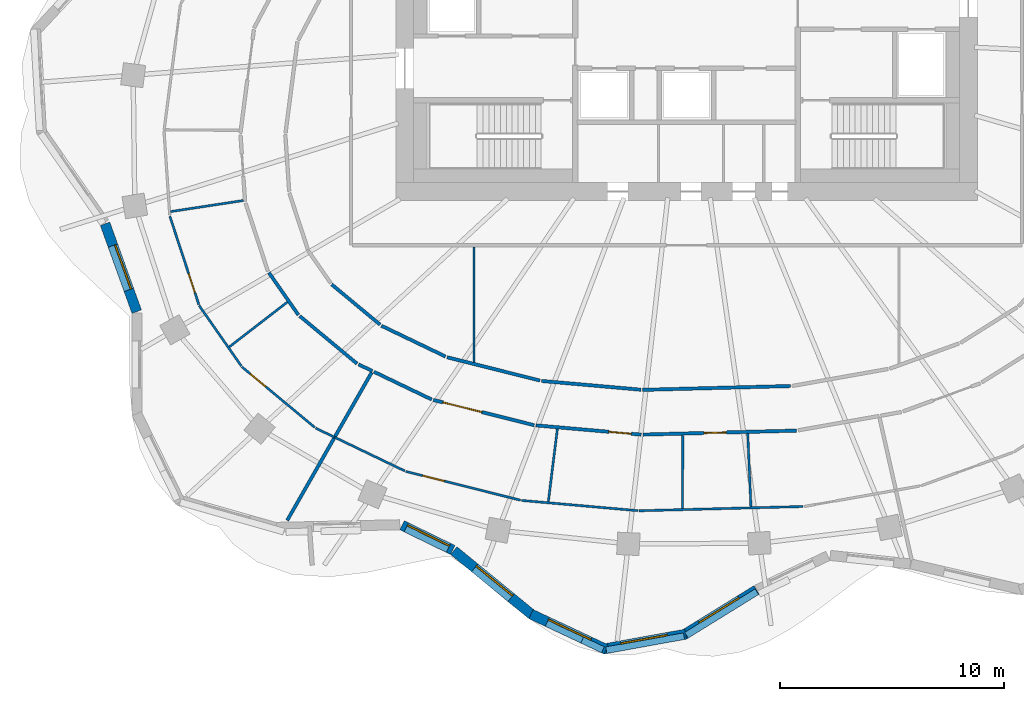
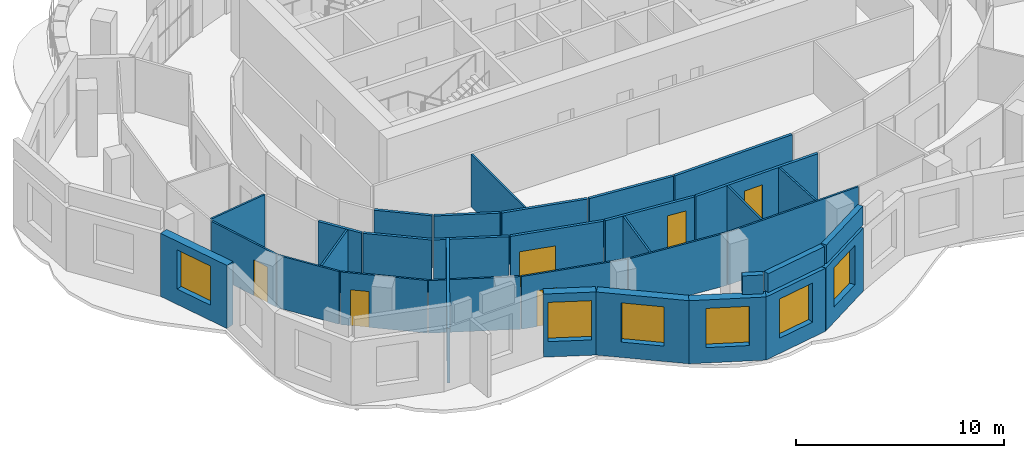
# One storey, part 5 of 13: 36 walls, 6 doors, 6 windows, 12 openings.
"""IFC4 building model written with IfcOpenShell, lengths in metres."""

from ifc_helpers import new_model, si_unit, direction, frame, frame_2d, origin, place, context, subcontext, project, spatial, rectangle, extrude, material, layer, layer_set, type_object, element, fill, save


model = new_model("IFC4")

# Units and contexts
model_context = context("Model", 3, precision=1e-05, world=origin(), true_north=direction((0.0, 1.0)))
body_context = subcontext(model_context, "Body", "Model", "MODEL_VIEW")
ifc_project = project(units=[si_unit("LENGTHUNIT", "METRE"), si_unit("AREAUNIT", "SQUARE_METRE"), si_unit("VOLUMEUNIT", "CUBIC_METRE"), si_unit("PLANEANGLEUNIT", "RADIAN"), si_unit("MASSUNIT", "GRAM", prefix="KILO")], contexts=[model_context])

# Site, building, storey
site_placement = place(None, origin())
site = spatial("IfcSite", under=ifc_project, at=site_placement, CompositionType="ELEMENT")
building_placement = place(site_placement, origin())
building = spatial("IfcBuilding", under=site, at=building_placement, Name="Rubra Terraces Tower", CompositionType="ELEMENT")
storey_placement = place(building_placement, frame((0.0, 0.0, 189.60009765625)))
storey = spatial("IfcBuildingStorey", under=building, at=storey_placement, Name="L46", CompositionType="ELEMENT", Elevation=189.60009765625)

# Wall, opening, window
ifc_material_1 = material(Name="Brick masonry red-brown", Category="masonry")
ifc_layer_1 = layer(ifc_material_1, 0.449951171875)
ifc_layer_set_1 = layer_set([ifc_layer_1], Name="Brick masonry red-brown")
wall_type_1 = type_object("IfcWallType", Name="Brick facade wall 450", PredefinedType="SOLIDWALL", material=ifc_layer_set_1)
wall_1_placement = place(storey_placement, frame((-25.99951171875, -4.047119140625, 0.0), z_axis=(0.0, 0.0, 1.0), x_axis=(0.338924456066, -0.940813591037, 0.0)))
wall_1 = element("IfcWall", 1, at=wall_1_placement, inside=storey, type_object=wall_type_1, Name="Facade wall L46 bay 22", PredefinedType="SOLIDWALL", context=body_context, shape_type="SweptSolid", body=[
    extrude(rectangle(XDim=4.175048828125, YDim=0.449951171875, at=frame_2d((2.08740234375, 0.0))), origin(), (0.0, 0.0, 1.0), 3.699951171875),
])
opening_1_placement = place(wall_1_placement, frame((1.03759765625, 0.0, 0.89990234375)))
opening_1 = element("IfcOpeningElement", 2, at=opening_1_placement, cuts=wall_1, Name="Opening W1B", PredefinedType="OPENING", context=body_context, shape_type="SweptSolid", body=[
    extrude(rectangle(XDim=2.10009765625, YDim=2.300048828125, at=frame_2d((1.050048828125, 1.14990234375))), frame((0.0, 0.23486328125, 0.0), z_axis=(0.0, -1.0, 0.0), x_axis=(1.0, 0.0, 0.0)), (0.0, 0.0, 1.0), 0.469970703125),
])
ifc_material_2 = material(Name="Clear glass in aluminium frame", Category="aluminium")
window_type = type_object("IfcWindowType", Name="Fixed deep-set window tall storey 2100 x 2300", PartitioningType="SINGLE_PANEL", PredefinedType="WINDOW", material=ifc_material_2)
window_1_placement = place(opening_1_placement, origin())
window_1 = element("IfcWindow", 3, at=window_1_placement, inside=storey, type_object=window_type, Name="Window L46 bay 22", OverallHeight=2.300048828125, OverallWidth=2.10009765625, PartitioningType="SINGLE_PANEL", PredefinedType="WINDOW", context=body_context, shape_type="SweptSolid", body=[
    extrude(rectangle(XDim=2.10009765625, YDim=2.300048828125, at=frame_2d((1.050048828125, 1.14990234375))), frame((0.0, 0.135009765625, 0.0), z_axis=(0.0, -1.0, 0.0), x_axis=(1.0, 0.0, 0.0)), (0.0, 0.0, 1.0), 0.06005859375),
])
fill(opening_1, window_1)

wall_2_placement = place(storey_placement, frame((-12.718994140625, -17.52587890625, 0.0), z_axis=(0.0, 0.0, 1.0), x_axis=(0.898643806462, -0.438679050226, 0.0)))
wall_2 = element("IfcWall", 4, at=wall_2_placement, inside=storey, type_object=wall_type_1, Name="Facade wall L46 bay 27", PredefinedType="SOLIDWALL", context=body_context, shape_type="SweptSolid", body=[
    extrude(rectangle(XDim=2.5234375, YDim=0.449951171875, at=frame_2d((1.26171875, 0.0))), origin(), (0.0, 0.0, 1.0), 3.699951171875),
])
opening_2_placement = place(wall_2_placement, frame((0.2119140625, 0.0, 0.89990234375)))
opening_2 = element("IfcOpeningElement", 5, at=opening_2_placement, cuts=wall_2, Name="Opening W1B", PredefinedType="OPENING", context=body_context, shape_type="SweptSolid", body=[
    extrude(rectangle(XDim=2.10009765625, YDim=2.300048828125, at=frame_2d((1.050048828125, 1.14990234375))), frame((0.0, 0.23486328125, 0.0), z_axis=(0.0, -1.0, 0.0), x_axis=(1.0, 0.0, 0.0)), (0.0, 0.0, 1.0), 0.469970703125),
])
window_2_placement = place(opening_2_placement, origin())
window_2 = element("IfcWindow", 6, at=window_2_placement, inside=storey, type_object=window_type, Name="Window L46 bay 27", OverallHeight=2.300048828125, OverallWidth=2.10009765625, PartitioningType="SINGLE_PANEL", PredefinedType="WINDOW", context=body_context, shape_type="SweptSolid", body=[
    extrude(rectangle(XDim=2.10009765625, YDim=2.300048828125, at=frame_2d((1.050048828125, 1.14990234375))), frame((0.0, 0.135009765625, 0.0), z_axis=(0.0, -1.0, 0.0), x_axis=(1.0, 0.0, 0.0)), (0.0, 0.0, 1.0), 0.06005859375),
])
fill(opening_2, window_2)

wall_3_placement = place(storey_placement, frame((-10.407470703125, -18.660888671875, 0.0), z_axis=(0.0, 0.0, 1.0), x_axis=(0.773702458947, -0.633549133864, 0.0)))
wall_3 = element("IfcWall", 7, at=wall_3_placement, inside=storey, type_object=wall_type_1, Name="Facade wall L46 bay 28", PredefinedType="SOLIDWALL", context=body_context, shape_type="SweptSolid", body=[
    extrude(rectangle(XDim=4.525634765625, YDim=0.449951171875, at=frame_2d((2.2626953125, 0.0))), origin(), (0.0, 0.0, 1.0), 3.699951171875),
])
opening_3_placement = place(wall_3_placement, frame((1.212890625, 0.0, 0.89990234375)))
opening_3 = element("IfcOpeningElement", 8, at=opening_3_placement, cuts=wall_3, Name="Opening W1B", PredefinedType="OPENING", context=body_context, shape_type="SweptSolid", body=[
    extrude(rectangle(XDim=2.10009765625, YDim=2.300048828125, at=frame_2d((1.050048828125, 1.14990234375))), frame((0.0, 0.23486328125, 0.0), z_axis=(0.0, -1.0, 0.0), x_axis=(1.0, 0.0, 0.0)), (0.0, 0.0, 1.0), 0.469970703125),
])
window_3_placement = place(opening_3_placement, origin())
window_3 = element("IfcWindow", 9, at=window_3_placement, inside=storey, type_object=window_type, Name="Window L46 bay 28", OverallHeight=2.300048828125, OverallWidth=2.10009765625, PartitioningType="SINGLE_PANEL", PredefinedType="WINDOW", context=body_context, shape_type="SweptSolid", body=[
    extrude(rectangle(XDim=2.10009765625, YDim=2.300048828125, at=frame_2d((1.050048828125, 1.14990234375))), frame((0.0, 0.135009765625, 0.0), z_axis=(0.0, -1.0, 0.0), x_axis=(1.0, 0.0, 0.0)), (0.0, 0.0, 1.0), 0.06005859375),
])
fill(opening_3, window_3)

wall_4_placement = place(storey_placement, frame((-6.952880859375, -21.49853515625, 0.0), z_axis=(0.0, 0.0, 1.0), x_axis=(0.905034581957, -0.425337989676, 0.0)))
wall_4 = element("IfcWall", 10, at=wall_4_placement, inside=storey, type_object=wall_type_1, Name="Facade wall L46 bay 29", PredefinedType="SOLIDWALL", context=body_context, shape_type="SweptSolid", body=[
    extrude(rectangle(XDim=3.71435546875, YDim=0.449951171875, at=frame_2d((1.857177734375, 0.0))), origin(), (0.0, 0.0, 1.0), 3.699951171875),
])
opening_4_placement = place(wall_4_placement, frame((0.80712890625, 0.0, 0.89990234375)))
opening_4 = element("IfcOpeningElement", 11, at=opening_4_placement, cuts=wall_4, Name="Opening W1B", PredefinedType="OPENING", context=body_context, shape_type="SweptSolid", body=[
    extrude(rectangle(XDim=2.10009765625, YDim=2.300048828125, at=frame_2d((1.050048828125, 1.14990234375))), frame((0.0, 0.23486328125, 0.0), z_axis=(0.0, -1.0, 0.0), x_axis=(1.0, 0.0, 0.0)), (0.0, 0.0, 1.0), 0.469970703125),
])
window_4_placement = place(opening_4_placement, origin())
window_4 = element("IfcWindow", 12, at=window_4_placement, inside=storey, type_object=window_type, Name="Window L46 bay 29", OverallHeight=2.300048828125, OverallWidth=2.10009765625, PartitioningType="SINGLE_PANEL", PredefinedType="WINDOW", context=body_context, shape_type="SweptSolid", body=[
    extrude(rectangle(XDim=2.10009765625, YDim=2.300048828125, at=frame_2d((1.050048828125, 1.14990234375))), frame((0.0, 0.135009765625, 0.0), z_axis=(0.0, -1.0, 0.0), x_axis=(1.0, 0.0, 0.0)), (0.0, 0.0, 1.0), 0.06005859375),
])
fill(opening_4, window_4)

wall_5_placement = place(storey_placement, frame((-3.726806640625, -23.060546875, 0.0), z_axis=(0.0, 0.0, 1.0), x_axis=(0.984119180424, 0.177508982087, 0.0)))
wall_5 = element("IfcWall", 13, at=wall_5_placement, inside=storey, type_object=wall_type_1, Name="Facade wall L46 bay 30", PredefinedType="SOLIDWALL", context=body_context, shape_type="SweptSolid", body=[
    extrude(rectangle(XDim=3.74658203125, YDim=0.449951171875, at=frame_2d((1.873291015625, 0.0))), origin(), (0.0, 0.0, 1.0), 3.699951171875),
])
opening_5_placement = place(wall_5_placement, frame((0.8232421875, 0.0, 0.89990234375)))
opening_5 = element("IfcOpeningElement", 14, at=opening_5_placement, cuts=wall_5, Name="Opening W1B", PredefinedType="OPENING", context=body_context, shape_type="SweptSolid", body=[
    extrude(rectangle(XDim=2.10009765625, YDim=2.300048828125, at=frame_2d((1.050048828125, 1.14990234375))), frame((0.0, 0.23486328125, 0.0), z_axis=(0.0, -1.0, 0.0), x_axis=(1.0, 0.0, 0.0)), (0.0, 0.0, 1.0), 0.469970703125),
])
window_5_placement = place(opening_5_placement, origin())
window_5 = element("IfcWindow", 15, at=window_5_placement, inside=storey, type_object=window_type, Name="Window L46 bay 30", OverallHeight=2.300048828125, OverallWidth=2.10009765625, PartitioningType="SINGLE_PANEL", PredefinedType="WINDOW", context=body_context, shape_type="SweptSolid", body=[
    extrude(rectangle(XDim=2.10009765625, YDim=2.300048828125, at=frame_2d((1.050048828125, 1.14990234375))), frame((0.0, 0.135009765625, 0.0), z_axis=(0.0, -1.0, 0.0), x_axis=(1.0, 0.0, 0.0)), (0.0, 0.0, 1.0), 0.06005859375),
])
fill(opening_5, window_5)

wall_6_placement = place(storey_placement, frame((-0.114990234375, -22.423583984375, 0.0), z_axis=(0.0, 0.0, 1.0), x_axis=(0.8506970368, 0.525656305564, 0.0)))
wall_6 = element("IfcWall", 16, at=wall_6_placement, inside=storey, type_object=wall_type_1, Name="Facade wall L46 bay 31", PredefinedType="SOLIDWALL", context=body_context, shape_type="SweptSolid", body=[
    extrude(rectangle(XDim=3.81640625, YDim=0.449951171875, at=frame_2d((1.908203125, 0.0))), origin(), (0.0, 0.0, 1.0), 3.699951171875),
])
opening_6_placement = place(wall_6_placement, frame((0.858154296875, 0.0, 0.89990234375)))
opening_6 = element("IfcOpeningElement", 17, at=opening_6_placement, cuts=wall_6, Name="Opening W1B", PredefinedType="OPENING", context=body_context, shape_type="SweptSolid", body=[
    extrude(rectangle(XDim=2.10009765625, YDim=2.300048828125, at=frame_2d((1.050048828125, 1.14990234375))), frame((0.0, 0.23486328125, 0.0), z_axis=(0.0, -1.0, 0.0), x_axis=(1.0, 0.0, 0.0)), (0.0, 0.0, 1.0), 0.469970703125),
])
window_6_placement = place(opening_6_placement, origin())
window_6 = element("IfcWindow", 18, at=window_6_placement, inside=storey, type_object=window_type, Name="Window L46 bay 31", OverallHeight=2.300048828125, OverallWidth=2.10009765625, PartitioningType="SINGLE_PANEL", PredefinedType="WINDOW", context=body_context, shape_type="SweptSolid", body=[
    extrude(rectangle(XDim=2.10009765625, YDim=2.300048828125, at=frame_2d((1.050048828125, 1.14990234375))), frame((0.0, 0.135009765625, 0.0), z_axis=(0.0, -1.0, 0.0), x_axis=(1.0, 0.0, 0.0)), (0.0, 0.0, 1.0), 0.06005859375),
])
fill(opening_6, window_6)

# Walls
ifc_layer_2 = layer(ifc_material_1, 0.300048828125)
ifc_layer_set_2 = layer_set([ifc_layer_2], Name="Brick masonry red-brown")
wall_type_2 = type_object("IfcWallType", Name="Brick parapet 300", PredefinedType="PARAPET", material=ifc_layer_set_2)
wall_7_placement = place(storey_placement, frame((-4.66650390625, -22.656005859375, 3.89990234375), z_axis=(0.0, 0.0, 1.0), x_axis=(0.905050240273, -0.425304670304, 0.0)))
element("IfcWall", 19, at=wall_7_placement, inside=storey, type_object=wall_type_2, Name="Parapet L46 bay 29", PredefinedType="PARAPET", context=body_context, shape_type="SweptSolid", body=[
    extrude(rectangle(XDim=1.02685546875, YDim=0.300048828125, at=frame_2d((0.513427734375, 0.0))), origin(), (0.0, 0.0, 1.0), 1.10009765625),
])
wall_8_placement = place(storey_placement, frame((-3.58984375, -23.112060546875, 3.89990234375), z_axis=(0.0, 0.0, 1.0), x_axis=(0.984124248147, 0.177480884064, 0.0)))
element("IfcWall", 20, at=wall_8_placement, inside=storey, type_object=wall_type_2, Name="Parapet L46 bay 30", PredefinedType="PARAPET", context=body_context, shape_type="SweptSolid", body=[
    extrude(rectangle(XDim=3.533935546875, YDim=0.300048828125, at=frame_2d((1.76708984375, 0.0))), origin(), (0.0, 0.0, 1.0), 1.10009765625),
])
wall_9_placement = place(storey_placement, frame((-0.0048828125, -22.443603515625, 3.89990234375), z_axis=(0.0, 0.0, 1.0), x_axis=(0.850710394144, 0.525634688063, 0.0)))
element("IfcWall", 21, at=wall_9_placement, inside=storey, type_object=wall_type_2, Name="Parapet L46 bay 31", PredefinedType="PARAPET", context=body_context, shape_type="SweptSolid", body=[
    extrude(rectangle(XDim=3.701904296875, YDim=0.300048828125, at=frame_2d((1.85107421875, 0.0))), origin(), (0.0, 0.0, 1.0), 1.10009765625),
])
ifc_material_3 = material(Name="Plasterboard on steel stud, mineral wool infill", Category="steel")
ifc_layer_3 = layer(ifc_material_3, 0.14990234375)
ifc_layer_set_3 = layer_set([ifc_layer_3], Name="Plasterboard on steel stud, mineral wool infill")
wall_type_3 = type_object("IfcWallType", Name="CORRIDOR PARTITION 150", PredefinedType="PARTITIONING", material=ifc_layer_set_3)
wall_10_placement = place(storey_placement, frame((-18.673828125, -6.231689453125, 0.0), z_axis=(0.0, 0.0, 1.0), x_axis=(0.572118665737, -0.820170855563, 0.0)))
element("IfcWall", 22, at=wall_10_placement, inside=storey, type_object=wall_type_3, Name="PARTITION", PredefinedType="PARTITIONING", context=body_context, shape_type="SweptSolid", body=[
    extrude(rectangle(XDim=2.30615234375, YDim=0.14990234375, at=frame_2d((1.153076171875, 0.0))), origin(), (0.0, 0.0, 1.0), 3.083984375),
])
wall_11_placement = place(storey_placement, frame((-17.296875, -8.1708984375, 0.0), z_axis=(0.0, 0.0, 1.0), x_axis=(0.769228575061, -0.638973707839, 0.0)))
element("IfcWall", 23, at=wall_11_placement, inside=storey, type_object=wall_type_3, Name="PARTITION", PredefinedType="PARTITIONING", context=body_context, shape_type="SweptSolid", body=[
    extrude(rectangle(XDim=3.33447265625, YDim=0.14990234375, at=frame_2d((1.667236328125, 0.0))), origin(), (0.0, 0.0, 1.0), 3.083984375),
])
wall_12_placement = place(storey_placement, frame((-14.664306640625, -10.333984375, 0.0), z_axis=(0.0, 0.0, 1.0), x_axis=(0.901550749347, -0.432673371439, 0.0)))
element("IfcWall", 24, at=wall_12_placement, inside=storey, type_object=wall_type_3, Name="PARTITION", PredefinedType="PARTITIONING", context=body_context, shape_type="SweptSolid", body=[
    extrude(rectangle(XDim=0.687744140625, YDim=0.14990234375, at=frame_2d((0.34375, 0.0))), origin(), (0.0, 0.0, 1.0), 3.083984375),
])
wall_13_placement = place(storey_placement, frame((-13.9765625, -10.6640625, 0.0), z_axis=(0.0, 0.0, 1.0), x_axis=(0.901497811871, -0.432783658646, 0.0)))
element("IfcWall", 25, at=wall_13_placement, inside=storey, type_object=wall_type_3, Name="PARTITION", PredefinedType="PARTITIONING", context=body_context, shape_type="SweptSolid", body=[
    extrude(rectangle(XDim=2.867431640625, YDim=0.14990234375, at=frame_2d((1.43359375, 0.0))), origin(), (0.0, 0.0, 1.0), 3.083984375),
])

# Wall, opening, door
wall_14_placement = place(storey_placement, frame((-11.318603515625, -11.923095703125, 0.0), z_axis=(0.0, 0.0, 1.0), x_axis=(0.969990815038, -0.243141561114, 0.0)))
wall_14 = element("IfcWall", 26, at=wall_14_placement, inside=storey, type_object=wall_type_3, Name="PARTITION", PredefinedType="PARTITIONING", context=body_context, shape_type="SweptSolid", body=[
    extrude(rectangle(XDim=4.64501953125, YDim=0.14990234375, at=frame_2d((2.322509765625, 0.0))), origin(), (0.0, 0.0, 1.0), 3.083984375),
])
opening_7_placement = place(wall_14_placement, frame((0.43896484375, 0.0, 0.0)))
opening_7 = element("IfcOpeningElement", 27, at=opening_7_placement, cuts=wall_14, Name="Opening 46-107", PredefinedType="OPENING", context=body_context, shape_type="SweptSolid", body=[
    extrude(rectangle(XDim=1.800048828125, YDim=2.10009765625, at=frame_2d((0.89990234375, 1.050048828125))), frame((0.0, 0.0849609375, 0.0), z_axis=(0.0, -1.0, 0.0), x_axis=(1.0, 0.0, 0.0)), (0.0, 0.0, 1.0), 0.169921875),
])
ifc_material_4 = material(Name="Painted timber door leaf, double", Category="wood")
door_type_1 = type_object("IfcDoorType", Name="ROOM DOUBLE DOOR 1800 X 2100", OperationType="DOUBLE_DOOR_SINGLE_SWING", PredefinedType="DOOR", material=ifc_material_4)
door_1_placement = place(opening_7_placement, origin())
door_1 = element("IfcDoor", 28, at=door_1_placement, inside=storey, type_object=door_type_1, Name="DOOR 46-107", OperationType="DOUBLE_DOOR_SINGLE_SWING", OverallHeight=2.10009765625, OverallWidth=1.800048828125, PredefinedType="DOOR", context=body_context, shape_type="SweptSolid", body=[
    extrude(rectangle(XDim=1.800048828125, YDim=2.10009765625, at=frame_2d((0.89990234375, 1.050048828125))), frame((0.0, 0.02490234375, 0.0), z_axis=(0.0, -1.0, 0.0), x_axis=(1.0, 0.0, 0.0)), (0.0, 0.0, 1.0), 0.050048828125),
])
fill(opening_7, door_1)

wall_15_placement = place(storey_placement, frame((-6.73828125, -13.05908203125, 0.0), z_axis=(0.0, 0.0, 1.0), x_axis=(0.996143527037, -0.087738666181, 0.0)))
wall_15 = element("IfcWall", 29, at=wall_15_placement, inside=storey, type_object=wall_type_3, Name="PARTITION", PredefinedType="PARTITIONING", context=body_context, shape_type="SweptSolid", body=[
    extrude(rectangle(XDim=4.73046875, YDim=0.14990234375, at=frame_2d((2.365234375, 0.0))), origin(), (0.0, 0.0, 1.0), 3.083984375),
])
opening_8_placement = place(wall_15_placement, frame((3.281005859375, 0.0, 0.0)))
opening_8 = element("IfcOpeningElement", 30, at=opening_8_placement, cuts=wall_15, Name="Opening 46-109", PredefinedType="OPENING", context=body_context, shape_type="SweptSolid", body=[
    extrude(rectangle(XDim=1.0, YDim=2.39990234375, at=frame_2d((0.5, 1.199951171875))), frame((0.0, 0.0849609375, 0.0), z_axis=(0.0, -1.0, 0.0), x_axis=(1.0, 0.0, 0.0)), (0.0, 0.0, 1.0), 0.169921875),
])
ifc_material_5 = material(Name="Glazed aluminium meeting door leaf", Category="aluminium")
door_type_2 = type_object("IfcDoorType", Name="MEETING ROOM GLAZED DOOR 1000 X 2400", OperationType="SINGLE_SWING_LEFT", PredefinedType="DOOR", material=ifc_material_5)
door_2_placement = place(opening_8_placement, origin())
door_2 = element("IfcDoor", 31, at=door_2_placement, inside=storey, type_object=door_type_2, Name="DOOR 46-109", OperationType="SINGLE_SWING_RIGHT", OverallHeight=2.39990234375, OverallWidth=1.0, PredefinedType="DOOR", context=body_context, shape_type="SweptSolid", body=[
    extrude(rectangle(XDim=1.0, YDim=2.39990234375, at=frame_2d((0.5, 1.199951171875))), frame((0.0, 0.02490234375, 0.0), z_axis=(0.0, -1.0, 0.0), x_axis=(1.0, 0.0, 0.0)), (0.0, 0.0, 1.0), 0.050048828125),
])
fill(opening_8, door_2)

wall_16_placement = place(storey_placement, frame((-1.951171875, -13.472412109375, 0.0), z_axis=(0.0, 0.0, 1.0), x_axis=(0.999663898238, 0.025924709429, 0.0)))
wall_16 = element("IfcWall", 32, at=wall_16_placement, inside=storey, type_object=wall_type_3, Name="PARTITION", PredefinedType="PARTITIONING", context=body_context, shape_type="SweptSolid", body=[
    extrude(rectangle(XDim=6.87451171875, YDim=0.14990234375, at=frame_2d((3.437255859375, 0.0))), origin(), (0.0, 0.0, 1.0), 3.083984375),
])
opening_9_placement = place(wall_16_placement, frame((2.73291015625, 0.0, 0.0)))
opening_9 = element("IfcOpeningElement", 33, at=opening_9_placement, cuts=wall_16, Name="Opening 46-110", PredefinedType="OPENING", context=body_context, shape_type="SweptSolid", body=[
    extrude(rectangle(XDim=1.0, YDim=2.39990234375, at=frame_2d((0.5, 1.199951171875))), frame((0.0, 0.0849609375, 0.0), z_axis=(0.0, -1.0, 0.0), x_axis=(1.0, 0.0, 0.0)), (0.0, 0.0, 1.0), 0.169921875),
])
door_3_placement = place(opening_9_placement, origin())
door_3 = element("IfcDoor", 34, at=door_3_placement, inside=storey, type_object=door_type_2, Name="DOOR 46-110", OperationType="SINGLE_SWING_RIGHT", OverallHeight=2.39990234375, OverallWidth=1.0, PredefinedType="DOOR", context=body_context, shape_type="SweptSolid", body=[
    extrude(rectangle(XDim=1.0, YDim=2.39990234375, at=frame_2d((0.5, 1.199951171875))), frame((0.0, 0.02490234375, 0.0), z_axis=(0.0, -1.0, 0.0), x_axis=(1.0, 0.0, 0.0)), (0.0, 0.0, 1.0), 0.050048828125),
])
fill(opening_9, door_3)

# Walls
wall_17_placement = place(storey_placement, frame((4.64453125, -11.30078125, 0.0), z_axis=(0.0, 0.0, 1.0), x_axis=(-0.9996648469, -0.02588810291, 0.0)))
element("IfcWall", 35, at=wall_17_placement, inside=storey, type_object=wall_type_3, Name="PARTITION", PredefinedType="PARTITIONING", context=body_context, shape_type="SweptSolid", body=[
    extrude(rectangle(XDim=6.61083984375, YDim=0.14990234375, at=frame_2d((3.305419921875, 0.0))), origin(), (0.0, 0.0, 1.0), 3.083984375),
])
wall_18_placement = place(storey_placement, frame((-2.038818359375, -11.46533203125, 0.0), z_axis=(0.0, 0.0, 1.0), x_axis=(-0.996139855484, 0.087780341286, 0.0)))
element("IfcWall", 36, at=wall_18_placement, inside=storey, type_object=wall_type_3, Name="PARTITION", PredefinedType="PARTITIONING", context=body_context, shape_type="SweptSolid", body=[
    extrude(rectangle(XDim=4.458251953125, YDim=0.14990234375, at=frame_2d((2.22900390625, 0.0))), origin(), (0.0, 0.0, 1.0), 3.083984375),
])
wall_19_placement = place(storey_placement, frame((-6.552734375, -11.055908203125, 0.0), z_axis=(0.0, 0.0, 1.0), x_axis=(-0.970004917182, 0.243085294995, 0.0)))
element("IfcWall", 37, at=wall_19_placement, inside=storey, type_object=wall_type_3, Name="PARTITION", PredefinedType="PARTITIONING", context=body_context, shape_type="SweptSolid", body=[
    extrude(rectangle(XDim=4.284423828125, YDim=0.14990234375, at=frame_2d((2.14208984375, 0.0))), origin(), (0.0, 0.0, 1.0), 3.083984375),
])
wall_20_placement = place(storey_placement, frame((-10.7763671875, -9.981689453125, 0.0), z_axis=(0.0, 0.0, 1.0), x_axis=(-0.901511079436, 0.432756020933, 0.0)))
element("IfcWall", 38, at=wall_20_placement, inside=storey, type_object=wall_type_3, Name="PARTITION", PredefinedType="PARTITIONING", context=body_context, shape_type="SweptSolid", body=[
    extrude(rectangle(XDim=3.1806640625, YDim=0.14990234375, at=frame_2d((1.59033203125, 0.0))), origin(), (0.0, 0.0, 1.0), 3.083984375),
])
wall_21_placement = place(storey_placement, frame((-13.70166015625, -8.557373046875, 0.0), z_axis=(0.0, 0.0, 1.0), x_axis=(-0.769221825067, 0.638981833733, 0.0)))
element("IfcWall", 39, at=wall_21_placement, inside=storey, type_object=wall_type_3, Name="PARTITION", PredefinedType="PARTITIONING", context=body_context, shape_type="SweptSolid", body=[
    extrude(rectangle(XDim=2.8173828125, YDim=0.14990234375, at=frame_2d((1.40869140625, 0.0))), origin(), (0.0, 0.0, 1.0), 3.083984375),
])
ifc_material_6 = material(Name="Plasterboard on steel stud", Category="steel")
ifc_layer_4 = layer(ifc_material_6, 0.10009765625)
ifc_layer_set_4 = layer_set([ifc_layer_4], Name="Plasterboard on steel stud")
wall_type_4 = type_object("IfcWallType", Name="ROOM PARTITION 100", PredefinedType="PARTITIONING", material=ifc_layer_set_4)
wall_22_placement = place(storey_placement, frame((-15.752197265625, -13.583251953125, 0.0), z_axis=(0.0, 0.0, 1.0), x_axis=(-0.901527197523, 0.432722442366, 0.0)))
element("IfcWall", 40, at=wall_22_placement, inside=storey, type_object=wall_type_4, Name="PARTITION", PredefinedType="PARTITIONING", context=body_context, shape_type="SweptSolid", body=[
    extrude(rectangle(XDim=0.920166015625, YDim=0.10009765625, at=frame_2d((0.4599609375, 0.0))), origin(), (0.0, 0.0, 1.0), 3.083984375),
])

# Wall, opening, door
wall_23_placement = place(storey_placement, frame((-16.6201171875, -13.153076171875, 0.0), z_axis=(0.0, 0.0, 1.0), x_axis=(-0.76922129881, 0.638982467253, 0.0)))
wall_23 = element("IfcWall", 41, at=wall_23_placement, inside=storey, type_object=wall_type_4, Name="PARTITION", PredefinedType="PARTITIONING", context=body_context, shape_type="SweptSolid", body=[
    extrude(rectangle(XDim=4.23828125, YDim=0.10009765625, at=frame_2d((2.119140625, 0.0))), origin(), (0.0, 0.0, 1.0), 3.083984375),
])
opening_10_placement = place(wall_23_placement, frame((2.85009765625, 0.0, 0.0)))
opening_10 = element("IfcOpeningElement", 42, at=opening_10_placement, cuts=wall_23, Name="Opening 46-106", PredefinedType="OPENING", context=body_context, shape_type="SweptSolid", body=[
    extrude(rectangle(XDim=0.89990234375, YDim=2.10009765625, at=frame_2d((0.449951171875, 1.050048828125))), frame((0.0, 0.06005859375, 0.0), z_axis=(0.0, -1.0, 0.0), x_axis=(1.0, 0.0, 0.0)), (0.0, 0.0, 1.0), 0.1201171875),
])
ifc_material_7 = material(Name="Painted timber door leaf", Category="wood")
door_type_3 = type_object("IfcDoorType", Name="ROOM DOOR 900 X 2100", OperationType="SINGLE_SWING_LEFT", PredefinedType="DOOR", material=ifc_material_7)
door_4_placement = place(opening_10_placement, origin())
door_4 = element("IfcDoor", 43, at=door_4_placement, inside=storey, type_object=door_type_3, Name="DOOR 46-106", OperationType="SINGLE_SWING_RIGHT", OverallHeight=2.10009765625, OverallWidth=0.89990234375, PredefinedType="DOOR", context=body_context, shape_type="SweptSolid", body=[
    extrude(rectangle(XDim=0.89990234375, YDim=2.10009765625, at=frame_2d((0.449951171875, 1.050048828125))), frame((0.0, 0.02490234375, 0.0), z_axis=(0.0, -1.0, 0.0), x_axis=(1.0, 0.0, 0.0)), (0.0, 0.0, 1.0), 0.050048828125),
])
fill(opening_10, door_4)

# Wall
wall_24_placement = place(storey_placement, frame((-19.908935546875, -10.40380859375, 0.0), z_axis=(0.0, 0.0, 1.0), x_axis=(-0.572111951901, 0.820175538828, 0.0)))
element("IfcWall", 44, at=wall_24_placement, inside=storey, type_object=wall_type_4, Name="PARTITION", PredefinedType="PARTITIONING", context=body_context, shape_type="SweptSolid", body=[
    extrude(rectangle(XDim=3.2900390625, YDim=0.10009765625, at=frame_2d((1.64501953125, 0.0))), origin(), (0.0, 0.0, 1.0), 3.083984375),
])

# Wall, opening, door
wall_25_placement = place(storey_placement, frame((-21.806884765625, -7.657958984375, 0.0), z_axis=(0.0, 0.0, 1.0), x_axis=(-0.31192534077, 0.95010661601, 0.0)))
wall_25 = element("IfcWall", 45, at=wall_25_placement, inside=storey, type_object=wall_type_4, Name="PARTITION", PredefinedType="PARTITIONING", context=body_context, shape_type="SweptSolid", body=[
    extrude(rectangle(XDim=4.156982421875, YDim=0.10009765625, at=frame_2d((2.07861328125, 0.0))), origin(), (0.0, 0.0, 1.0), 3.083984375),
])
opening_11_placement = place(wall_25_placement, frame((0.56103515625, 0.0, 0.0)))
opening_11 = element("IfcOpeningElement", 46, at=opening_11_placement, cuts=wall_25, Name="Opening 46-105", PredefinedType="OPENING", context=body_context, shape_type="SweptSolid", body=[
    extrude(rectangle(XDim=0.89990234375, YDim=2.10009765625, at=frame_2d((0.449951171875, 1.050048828125))), frame((0.0, 0.06005859375, 0.0), z_axis=(0.0, -1.0, 0.0), x_axis=(1.0, 0.0, 0.0)), (0.0, 0.0, 1.0), 0.1201171875),
])
door_5_placement = place(opening_11_placement, origin())
door_5 = element("IfcDoor", 47, at=door_5_placement, inside=storey, type_object=door_type_3, Name="DOOR 46-105", OperationType="SINGLE_SWING_LEFT", OverallHeight=2.10009765625, OverallWidth=0.89990234375, PredefinedType="DOOR", context=body_context, shape_type="SweptSolid", body=[
    extrude(rectangle(XDim=0.89990234375, YDim=2.10009765625, at=frame_2d((0.449951171875, 1.050048828125))), frame((0.0, 0.02490234375, 0.0), z_axis=(0.0, -1.0, 0.0), x_axis=(1.0, 0.0, 0.0)), (0.0, 0.0, 1.0), 0.050048828125),
])
fill(opening_11, door_5)

# Walls
wall_26_placement = place(storey_placement, frame((-19.818359375, -3.006103515625, 0.0), z_axis=(0.0, 0.0, 1.0), x_axis=(-0.988610910333, -0.15049407952, 0.0)))
element("IfcWall", 48, at=wall_26_placement, inside=storey, type_object=wall_type_4, Name="PARTITION", PredefinedType="PARTITIONING", context=body_context, shape_type="SweptSolid", body=[
    extrude(rectangle(XDim=3.28662109375, YDim=0.10009765625, at=frame_2d((1.643310546875, 0.0))), origin(), (0.0, 0.0, 1.0), 3.083984375),
])
wall_27_placement = place(storey_placement, frame((-17.848388671875, -7.5458984375, 0.0), z_axis=(0.0, 0.0, 1.0), x_axis=(-0.791468360906, -0.611210138728, 0.0)))
element("IfcWall", 49, at=wall_27_placement, inside=storey, type_object=wall_type_4, Name="PARTITION", PredefinedType="PARTITIONING", context=body_context, shape_type="SweptSolid", body=[
    extrude(rectangle(XDim=3.279052734375, YDim=0.10009765625, at=frame_2d((1.6396484375, 0.0))), origin(), (0.0, 0.0, 1.0), 3.083984375),
])
wall_28_placement = place(storey_placement, frame((5.2138671875, -16.687744140625, 0.0), z_axis=(0.0, 0.0, 1.0), x_axis=(-0.999664981446, -0.025882906921, 0.0)))
element("IfcWall", 50, at=wall_28_placement, inside=storey, type_object=wall_type_4, Name="PARTITION", PredefinedType="PARTITIONING", context=body_context, shape_type="SweptSolid", body=[
    extrude(rectangle(XDim=7.347900390625, YDim=0.10009765625, at=frame_2d((3.673828125, 0.0))), origin(), (0.0, 0.0, 1.0), 3.083984375),
])
wall_29_placement = place(storey_placement, frame((-2.181396484375, -16.87353515625, 0.0), z_axis=(0.0, 0.0, 1.0), x_axis=(-0.996143934904, 0.087734035321, 0.0)))
element("IfcWall", 51, at=wall_29_placement, inside=storey, type_object=wall_type_4, Name="PARTITION", PredefinedType="PARTITIONING", context=body_context, shape_type="SweptSolid", body=[
    extrude(rectangle(XDim=5.217529296875, YDim=0.10009765625, at=frame_2d((2.60888671875, 0.0))), origin(), (0.0, 0.0, 1.0), 3.083984375),
])

# Wall, opening, door
wall_30_placement = place(storey_placement, frame((-7.427490234375, -16.403564453125, 0.0), z_axis=(0.0, 0.0, 1.0), x_axis=(-0.970009158253, 0.243068370845, 0.0)))
wall_30 = element("IfcWall", 52, at=wall_30_placement, inside=storey, type_object=wall_type_4, Name="PARTITION", PredefinedType="PARTITIONING", context=body_context, shape_type="SweptSolid", body=[
    extrude(rectangle(XDim=5.283203125, YDim=0.10009765625, at=frame_2d((2.6416015625, 0.0))), origin(), (0.0, 0.0, 1.0), 3.083984375),
])
opening_12_placement = place(wall_30_placement, frame((3.5048828125, 0.0, 0.0)))
opening_12 = element("IfcOpeningElement", 53, at=opening_12_placement, cuts=wall_30, Name="Opening 46-108", PredefinedType="OPENING", context=body_context, shape_type="SweptSolid", body=[
    extrude(rectangle(XDim=1.0, YDim=2.10009765625, at=frame_2d((0.5, 1.050048828125))), frame((0.0, 0.06005859375, 0.0), z_axis=(0.0, -1.0, 0.0), x_axis=(1.0, 0.0, 0.0)), (0.0, 0.0, 1.0), 0.1201171875),
])
door_type_4 = type_object("IfcDoorType", Name="ROOM DOOR 1000 X 2100", OperationType="SINGLE_SWING_LEFT", PredefinedType="DOOR", material=ifc_material_7)
door_6_placement = place(opening_12_placement, origin())
door_6 = element("IfcDoor", 54, at=door_6_placement, inside=storey, type_object=door_type_4, Name="DOOR 46-108", OperationType="SINGLE_SWING_RIGHT", OverallHeight=2.10009765625, OverallWidth=1.0, PredefinedType="DOOR", context=body_context, shape_type="SweptSolid", body=[
    extrude(rectangle(XDim=1.0, YDim=2.10009765625, at=frame_2d((0.5, 1.050048828125))), frame((0.0, 0.02490234375, 0.0), z_axis=(0.0, -1.0, 0.0), x_axis=(1.0, 0.0, 0.0)), (0.0, 0.0, 1.0), 0.050048828125),
])
fill(opening_12, door_6)

# Walls
wall_31_placement = place(storey_placement, frame((-12.597412109375, -15.09765625, 0.0), z_axis=(0.0, 0.0, 1.0), x_axis=(-0.901509841666, 0.432758599428, 0.0)))
element("IfcWall", 55, at=wall_31_placement, inside=storey, type_object=wall_type_4, Name="PARTITION", PredefinedType="PARTITIONING", context=body_context, shape_type="SweptSolid", body=[
    extrude(rectangle(XDim=3.45947265625, YDim=0.10009765625, at=frame_2d((1.729736328125, 0.0))), origin(), (0.0, 0.0, 1.0), 3.083984375),
])
wall_32_placement = place(storey_placement, frame((-5.775146484375, -13.218994140625, 0.0), z_axis=(0.0, 0.0, 1.0), x_axis=(-0.123512108853, -0.992343065158, 0.0)))
element("IfcWall", 56, at=wall_32_placement, inside=storey, type_object=wall_type_4, Name="PARTITION", PredefinedType="PARTITIONING", context=body_context, shape_type="SweptSolid", body=[
    extrude(rectangle(XDim=3.27734375, YDim=0.10009765625, at=frame_2d((1.638671875, 0.0))), origin(), (0.0, 0.0, 1.0), 3.083984375),
])
wall_33_placement = place(storey_placement, frame((-0.172119140625, -13.501220703125, 0.0), z_axis=(0.0, 0.0, 1.0), x_axis=(-0.001937403219, -0.999998123233, 0.0)))
element("IfcWall", 57, at=wall_33_placement, inside=storey, type_object=wall_type_4, Name="PARTITION", PredefinedType="PARTITIONING", context=body_context, shape_type="SweptSolid", body=[
    extrude(rectangle(XDim=3.2763671875, YDim=0.10009765625, at=frame_2d((1.63818359375, 0.0))), origin(), (0.0, 0.0, 1.0), 3.083984375),
])
wall_34_placement = place(storey_placement, frame((2.73681640625, -13.42578125, 0.0), z_axis=(0.0, 0.0, 1.0), x_axis=(0.043081420795, -0.999071564595, 0.0)))
element("IfcWall", 58, at=wall_34_placement, inside=storey, type_object=wall_type_4, Name="PARTITION", PredefinedType="PARTITIONING", context=body_context, shape_type="SweptSolid", body=[
    extrude(rectangle(XDim=3.275390625, YDim=0.10009765625, at=frame_2d((1.6376953125, 0.0))), origin(), (0.0, 0.0, 1.0), 3.083984375),
])
wall_35_placement = place(storey_placement, frame((-9.5, -10.2421875, 0.0), z_axis=(0.0, 0.0, 1.0), x_axis=(0.0, 1.0, 0.0)))
element("IfcWall", 59, at=wall_35_placement, inside=storey, type_object=wall_type_4, Name="PARTITION", PredefinedType="PARTITIONING", context=body_context, shape_type="SweptSolid", body=[
    extrude(rectangle(XDim=5.167236328125, YDim=0.10009765625, at=frame_2d((2.58349609375, 0.0))), origin(), (0.0, 0.0, 1.0), 3.083984375),
])
ifc_layer_5 = layer(ifc_material_6, 0.14990234375)
ifc_layer_set_5 = layer_set([ifc_layer_5], Name="Plasterboard on steel stud")
wall_type_5 = type_object("IfcWallType", Name="ROOM PARTITION 150", PredefinedType="PARTITIONING", material=ifc_layer_set_5)
wall_36_placement = place(storey_placement, frame((-17.8544921875, -17.305908203125, 0.0), z_axis=(0.0, 0.0, 1.0), x_axis=(0.495796877379, 0.868438516178, 0.0)))
element("IfcWall", 60, at=wall_36_placement, inside=storey, type_object=wall_type_5, Name="PARTITION", PredefinedType="PARTITIONING", context=body_context, shape_type="SweptSolid", body=[
    extrude(rectangle(XDim=7.6103515625, YDim=0.14990234375, at=frame_2d((3.80517578125, 0.0))), origin(), (0.0, 0.0, 1.0), 3.183837890625),
])

save(model, "model.ifc")
